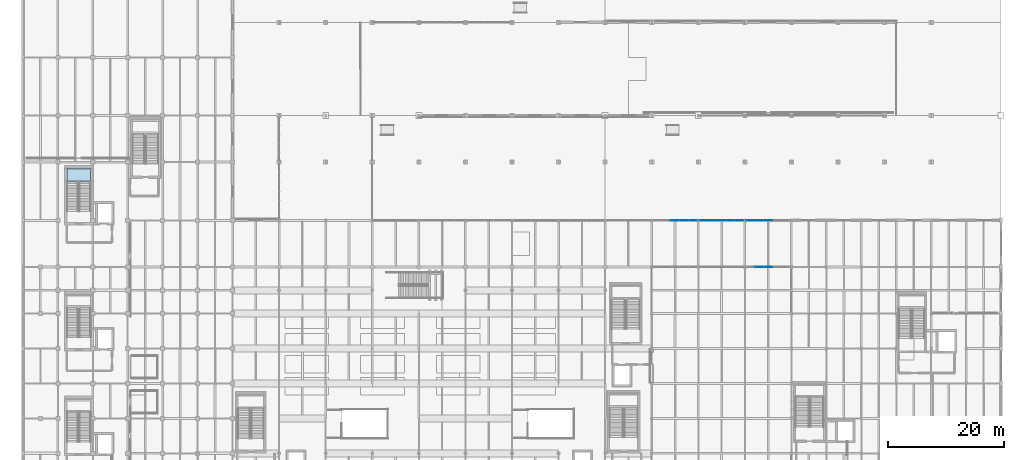
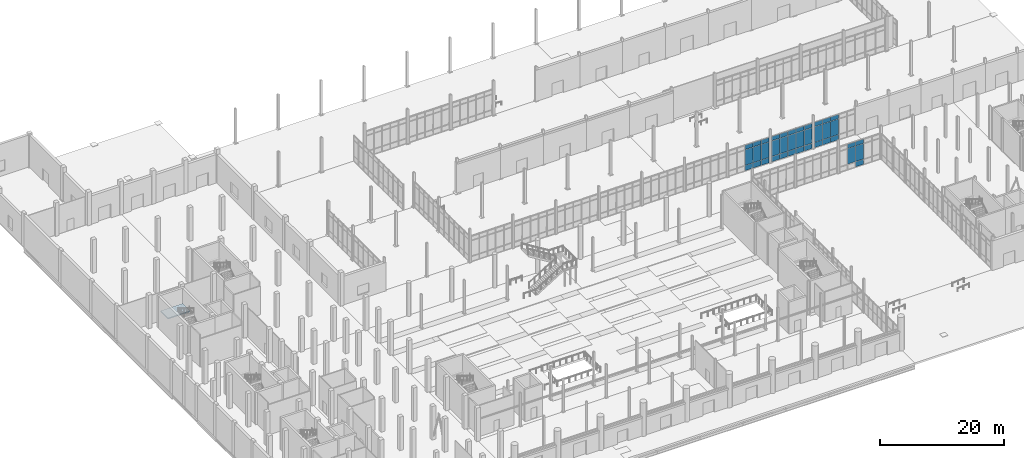
# One storey, part 102 of 140: 38 plates, 1 slab, 5 elements without a shape of their own.
"""IFC4 building model written with IfcOpenShell, lengths in metres."""

from ifc_helpers import new_model, si_unit, direction, frame, origin, origin_2d, place, context, subcontext, project, spatial, polyline, rectangle, outline, extrude, material, layer, layer_set, type_object, element, aggregate, save


model = new_model("IFC4")

# Units and contexts
model_context = context("Model", 3, precision=1e-05, world=origin(), true_north=direction((0.0, 1.0)))
body_context = subcontext(model_context, "Body", "Model", "MODEL_VIEW")
ifc_project = project(units=[si_unit("LENGTHUNIT", "METRE"), si_unit("AREAUNIT", "SQUARE_METRE"), si_unit("VOLUMEUNIT", "CUBIC_METRE"), si_unit("PLANEANGLEUNIT", "RADIAN"), si_unit("MASSUNIT", "GRAM", prefix="KILO")], contexts=[model_context])

# Site, building, storey
site_placement = place(None, origin())
site = spatial("IfcSite", under=ifc_project, at=site_placement, CompositionType="ELEMENT")
building_placement = place(site_placement, origin())
building = spatial("IfcBuilding", under=site, at=building_placement, Name="Verrall Gate Interchange", CompositionType="ELEMENT")
storey_placement = place(building_placement, origin())
storey = spatial("IfcBuildingStorey", under=building, at=storey_placement, Name="L01", CompositionType="ELEMENT", Elevation=0.0)

# Curtain wall, plates
ifc_material_1 = material(Name="Thermally Broken Anodized Aluminium Curtain Wall Framing", Category="aluminium")
curtain_wall_type = type_object("IfcCurtainWallType", Name="CW-06 Unitized Curtain Wall 7631x5100", PredefinedType="NOTDEFINED", material=ifc_material_1)
curtain_wall_1_placement = place(storey_placement, origin())
curtain_wall_1 = element("IfcCurtainWall", 1, at=curtain_wall_1_placement, inside=storey, type_object=curtain_wall_type, Name="L01 Unitized Curtain Wall CW-L01-012", PredefinedType="NOTDEFINED")
ifc_material_2 = material(Name="Triple-Glazed Low-E Argon Insulated Curtain Panel (U=1.45)", Category="glass")
ifc_layer_1 = layer(ifc_material_2, 0.030029296875)
ifc_layer_set_1 = layer_set([ifc_layer_1], Name="Triple-Glazed Low-E Argon Insulated Curtain Panel (U=1.45)")
plate_type_1 = type_object("IfcPlateType", Name="CP-01 Curtain Glazing Panel 30", PredefinedType="CURTAIN_PANEL", material=ifc_layer_set_1)
plate_1_placement = place(storey_placement, frame((127.98388671875, 56.0, 0.0546875), z_axis=(0.0, 0.0, 1.0), x_axis=(-1.0, 0.0, 0.0)))
plate_1 = element("IfcPlate", 2, at=plate_1_placement, type_object=plate_type_1, Name="CW-L01-012 Glazing Panel 3.1", PredefinedType="CURTAIN_PANEL", context=body_context, shape_type="SweptSolid", body=[
    extrude(rectangle(XDim=1.4755859375, YDim=0.030029296875, at=origin_2d()), origin(), (0.0, 0.0, 1.0), 1.023193359375),
])
plate_2_placement = place(storey_placement, frame((127.98388671875, 56.0, 1.1220703125), z_axis=(0.0, 0.0, 1.0), x_axis=(-1.0, 0.0, 0.0)))
plate_2 = element("IfcPlate", 3, at=plate_2_placement, type_object=plate_type_1, Name="CW-L01-012 Glazing Panel 3.2", PredefinedType="CURTAIN_PANEL", context=body_context, shape_type="SweptSolid", body=[
    extrude(rectangle(XDim=1.4755859375, YDim=0.030029296875, at=origin_2d()), origin(), (0.0, 0.0, 1.0), 3.055908203125),
])
plate_3_placement = place(storey_placement, frame((127.98388671875, 56.0, 4.22216796875), z_axis=(0.0, 0.0, 1.0), x_axis=(-1.0, 0.0, 0.0)))
plate_3 = element("IfcPlate", 4, at=plate_3_placement, type_object=plate_type_1, Name="CW-L01-012 Glazing Panel 3.3", PredefinedType="CURTAIN_PANEL", context=body_context, shape_type="SweptSolid", body=[
    extrude(rectangle(XDim=1.4755859375, YDim=0.030029296875, at=origin_2d()), origin(), (0.0, 0.0, 1.0), 0.8232421875),
])
plate_4_placement = place(storey_placement, frame((126.464111328125, 56.0, 0.0546875), z_axis=(0.0, 0.0, 1.0), x_axis=(-1.0, 0.0, 0.0)))
plate_4 = element("IfcPlate", 5, at=plate_4_placement, type_object=plate_type_1, Name="CW-L01-012 Glazing Panel 4.1", PredefinedType="CURTAIN_PANEL", context=body_context, shape_type="SweptSolid", body=[
    extrude(rectangle(XDim=1.4755859375, YDim=0.030029296875, at=origin_2d()), origin(), (0.0, 0.0, 1.0), 1.023193359375),
])
plate_5_placement = place(storey_placement, frame((126.464111328125, 56.0, 1.1220703125), z_axis=(0.0, 0.0, 1.0), x_axis=(-1.0, 0.0, 0.0)))
plate_5 = element("IfcPlate", 6, at=plate_5_placement, type_object=plate_type_1, Name="CW-L01-012 Glazing Panel 4.2", PredefinedType="CURTAIN_PANEL", context=body_context, shape_type="SweptSolid", body=[
    extrude(rectangle(XDim=1.4755859375, YDim=0.030029296875, at=origin_2d()), origin(), (0.0, 0.0, 1.0), 3.055908203125),
])
plate_6_placement = place(storey_placement, frame((126.464111328125, 56.0, 4.22216796875), z_axis=(0.0, 0.0, 1.0), x_axis=(-1.0, 0.0, 0.0)))
plate_6 = element("IfcPlate", 7, at=plate_6_placement, type_object=plate_type_1, Name="CW-L01-012 Glazing Panel 4.3", PredefinedType="CURTAIN_PANEL", context=body_context, shape_type="SweptSolid", body=[
    extrude(rectangle(XDim=1.4755859375, YDim=0.030029296875, at=origin_2d()), origin(), (0.0, 0.0, 1.0), 0.8232421875),
])
plate_7_placement = place(storey_placement, frame((124.960693359375, 56.0, 0.0546875), z_axis=(0.0, 0.0, 1.0), x_axis=(-1.0, 0.0, 0.0)))
plate_7 = element("IfcPlate", 8, at=plate_7_placement, type_object=plate_type_1, Name="CW-L01-012 Glazing Panel 5.1", PredefinedType="CURTAIN_PANEL", context=body_context, shape_type="SweptSolid", body=[
    extrude(rectangle(XDim=1.443115234375, YDim=0.030029296875, at=origin_2d()), origin(), (0.0, 0.0, 1.0), 1.023193359375),
])
plate_8_placement = place(storey_placement, frame((124.960693359375, 56.0, 1.1220703125), z_axis=(0.0, 0.0, 1.0), x_axis=(-1.0, 0.0, 0.0)))
plate_8 = element("IfcPlate", 9, at=plate_8_placement, type_object=plate_type_1, Name="CW-L01-012 Glazing Panel 5.2", PredefinedType="CURTAIN_PANEL", context=body_context, shape_type="SweptSolid", body=[
    extrude(rectangle(XDim=1.443115234375, YDim=0.030029296875, at=origin_2d()), origin(), (0.0, 0.0, 1.0), 3.055908203125),
])
plate_9_placement = place(storey_placement, frame((124.960693359375, 56.0, 4.22216796875), z_axis=(0.0, 0.0, 1.0), x_axis=(-1.0, 0.0, 0.0)))
plate_9 = element("IfcPlate", 10, at=plate_9_placement, type_object=plate_type_1, Name="CW-L01-012 Glazing Panel 5.3", PredefinedType="CURTAIN_PANEL", context=body_context, shape_type="SweptSolid", body=[
    extrude(rectangle(XDim=1.443115234375, YDim=0.030029296875, at=origin_2d()), origin(), (0.0, 0.0, 1.0), 0.8232421875),
])
aggregate(curtain_wall_1, [plate_1, plate_2, plate_3, plate_4, plate_5, plate_6, plate_7, plate_8, plate_9])

curtain_wall_2_placement = place(storey_placement, origin())
curtain_wall_2 = element("IfcCurtainWall", 11, at=curtain_wall_2_placement, inside=storey, type_object=curtain_wall_type, Name="L01 Unitized Curtain Wall CW-L01-013", PredefinedType="NOTDEFINED")
plate_10_placement = place(storey_placement, frame((123.03369140625, 56.0, 0.06298828125), z_axis=(0.0, 0.0, 1.0), x_axis=(-1.0, 0.0, 0.0)))
plate_10 = element("IfcPlate", 12, at=plate_10_placement, type_object=plate_type_1, Name="CW-L01-013 Glazing Panel 1.1", PredefinedType="CURTAIN_PANEL", context=body_context, shape_type="SweptSolid", body=[
    extrude(rectangle(XDim=1.437744140625, YDim=0.030029296875, at=origin_2d()), origin(), (0.0, 0.0, 1.0), 1.011474609375),
])
plate_11_placement = place(storey_placement, frame((123.03369140625, 56.0, 1.12548828125), z_axis=(0.0, 0.0, 1.0), x_axis=(-1.0, 0.0, 0.0)))
plate_11 = element("IfcPlate", 13, at=plate_11_placement, type_object=plate_type_1, Name="CW-L01-013 Glazing Panel 1.2", PredefinedType="CURTAIN_PANEL", context=body_context, shape_type="SweptSolid", body=[
    extrude(rectangle(XDim=1.437744140625, YDim=0.030029296875, at=origin_2d()), origin(), (0.0, 0.0, 1.0), 3.049072265625),
])
plate_12_placement = place(storey_placement, frame((123.03369140625, 56.0, 4.225341796875), z_axis=(0.0, 0.0, 1.0), x_axis=(-1.0, 0.0, 0.0)))
plate_12 = element("IfcPlate", 14, at=plate_12_placement, type_object=plate_type_1, Name="CW-L01-013 Glazing Panel 1.3", PredefinedType="CURTAIN_PANEL", context=body_context, shape_type="SweptSolid", body=[
    extrude(rectangle(XDim=1.437744140625, YDim=0.030029296875, at=origin_2d()), origin(), (0.0, 0.0, 1.0), 0.8115234375),
])
plate_13_placement = place(storey_placement, frame((121.526123046875, 56.0, 0.06298828125), z_axis=(0.0, 0.0, 1.0), x_axis=(-1.0, 0.0, 0.0)))
plate_13 = element("IfcPlate", 15, at=plate_13_placement, type_object=plate_type_1, Name="CW-L01-013 Glazing Panel 2.1", PredefinedType="CURTAIN_PANEL", context=body_context, shape_type="SweptSolid", body=[
    extrude(rectangle(XDim=1.47509765625, YDim=0.030029296875, at=origin_2d()), origin(), (0.0, 0.0, 1.0), 1.011474609375),
])
plate_14_placement = place(storey_placement, frame((121.526123046875, 56.0, 1.12548828125), z_axis=(0.0, 0.0, 1.0), x_axis=(-1.0, 0.0, 0.0)))
plate_14 = element("IfcPlate", 16, at=plate_14_placement, type_object=plate_type_1, Name="CW-L01-013 Glazing Panel 2.2", PredefinedType="CURTAIN_PANEL", context=body_context, shape_type="SweptSolid", body=[
    extrude(rectangle(XDim=1.47509765625, YDim=0.030029296875, at=origin_2d()), origin(), (0.0, 0.0, 1.0), 3.049072265625),
])
plate_15_placement = place(storey_placement, frame((121.526123046875, 56.0, 4.225341796875), z_axis=(0.0, 0.0, 1.0), x_axis=(-1.0, 0.0, 0.0)))
plate_15 = element("IfcPlate", 17, at=plate_15_placement, type_object=plate_type_1, Name="CW-L01-013 Glazing Panel 2.3", PredefinedType="CURTAIN_PANEL", context=body_context, shape_type="SweptSolid", body=[
    extrude(rectangle(XDim=1.47509765625, YDim=0.030029296875, at=origin_2d()), origin(), (0.0, 0.0, 1.0), 0.8115234375),
])
plate_16_placement = place(storey_placement, frame((120.0, 56.0, 0.06298828125), z_axis=(0.0, 0.0, 1.0), x_axis=(-1.0, 0.0, 0.0)))
plate_16 = element("IfcPlate", 18, at=plate_16_placement, type_object=plate_type_1, Name="CW-L01-013 Glazing Panel 3.1", PredefinedType="CURTAIN_PANEL", context=body_context, shape_type="SweptSolid", body=[
    extrude(rectangle(XDim=1.47509765625, YDim=0.030029296875, at=origin_2d()), origin(), (0.0, 0.0, 1.0), 1.011474609375),
])
plate_17_placement = place(storey_placement, frame((120.0, 56.0, 1.12548828125), z_axis=(0.0, 0.0, 1.0), x_axis=(-1.0, 0.0, 0.0)))
plate_17 = element("IfcPlate", 19, at=plate_17_placement, type_object=plate_type_1, Name="CW-L01-013 Glazing Panel 3.2", PredefinedType="CURTAIN_PANEL", context=body_context, shape_type="SweptSolid", body=[
    extrude(rectangle(XDim=1.47509765625, YDim=0.030029296875, at=origin_2d()), origin(), (0.0, 0.0, 1.0), 3.049072265625),
])
plate_18_placement = place(storey_placement, frame((120.0, 56.0, 4.225341796875), z_axis=(0.0, 0.0, 1.0), x_axis=(-1.0, 0.0, 0.0)))
plate_18 = element("IfcPlate", 20, at=plate_18_placement, type_object=plate_type_1, Name="CW-L01-013 Glazing Panel 3.3", PredefinedType="CURTAIN_PANEL", context=body_context, shape_type="SweptSolid", body=[
    extrude(rectangle(XDim=1.47509765625, YDim=0.030029296875, at=origin_2d()), origin(), (0.0, 0.0, 1.0), 0.8115234375),
])
plate_19_placement = place(storey_placement, frame((118.473876953125, 56.0, 0.06298828125), z_axis=(0.0, 0.0, 1.0), x_axis=(-1.0, 0.0, 0.0)))
plate_19 = element("IfcPlate", 21, at=plate_19_placement, type_object=plate_type_1, Name="CW-L01-013 Glazing Panel 4.1", PredefinedType="CURTAIN_PANEL", context=body_context, shape_type="SweptSolid", body=[
    extrude(rectangle(XDim=1.47509765625, YDim=0.030029296875, at=origin_2d()), origin(), (0.0, 0.0, 1.0), 1.011474609375),
])
plate_20_placement = place(storey_placement, frame((118.473876953125, 56.0, 1.12548828125), z_axis=(0.0, 0.0, 1.0), x_axis=(-1.0, 0.0, 0.0)))
plate_20 = element("IfcPlate", 22, at=plate_20_placement, type_object=plate_type_1, Name="CW-L01-013 Glazing Panel 4.2", PredefinedType="CURTAIN_PANEL", context=body_context, shape_type="SweptSolid", body=[
    extrude(rectangle(XDim=1.47509765625, YDim=0.030029296875, at=origin_2d()), origin(), (0.0, 0.0, 1.0), 3.049072265625),
])
plate_21_placement = place(storey_placement, frame((118.473876953125, 56.0, 4.225341796875), z_axis=(0.0, 0.0, 1.0), x_axis=(-1.0, 0.0, 0.0)))
plate_21 = element("IfcPlate", 23, at=plate_21_placement, type_object=plate_type_1, Name="CW-L01-013 Glazing Panel 4.3", PredefinedType="CURTAIN_PANEL", context=body_context, shape_type="SweptSolid", body=[
    extrude(rectangle(XDim=1.47509765625, YDim=0.030029296875, at=origin_2d()), origin(), (0.0, 0.0, 1.0), 0.8115234375),
])
plate_22_placement = place(storey_placement, frame((116.96630859375, 56.0, 0.06298828125), z_axis=(0.0, 0.0, 1.0), x_axis=(-1.0, 0.0, 0.0)))
plate_22 = element("IfcPlate", 24, at=plate_22_placement, type_object=plate_type_1, Name="CW-L01-013 Glazing Panel 5.1", PredefinedType="CURTAIN_PANEL", context=body_context, shape_type="SweptSolid", body=[
    extrude(rectangle(XDim=1.437744140625, YDim=0.030029296875, at=origin_2d()), origin(), (0.0, 0.0, 1.0), 1.011474609375),
])
plate_23_placement = place(storey_placement, frame((116.96630859375, 56.0, 1.12548828125), z_axis=(0.0, 0.0, 1.0), x_axis=(-1.0, 0.0, 0.0)))
plate_23 = element("IfcPlate", 25, at=plate_23_placement, type_object=plate_type_1, Name="CW-L01-013 Glazing Panel 5.2", PredefinedType="CURTAIN_PANEL", context=body_context, shape_type="SweptSolid", body=[
    extrude(rectangle(XDim=1.437744140625, YDim=0.030029296875, at=origin_2d()), origin(), (0.0, 0.0, 1.0), 3.049072265625),
])
plate_24_placement = place(storey_placement, frame((116.96630859375, 56.0, 4.225341796875), z_axis=(0.0, 0.0, 1.0), x_axis=(-1.0, 0.0, 0.0)))
plate_24 = element("IfcPlate", 26, at=plate_24_placement, type_object=plate_type_1, Name="CW-L01-013 Glazing Panel 5.3", PredefinedType="CURTAIN_PANEL", context=body_context, shape_type="SweptSolid", body=[
    extrude(rectangle(XDim=1.437744140625, YDim=0.030029296875, at=origin_2d()), origin(), (0.0, 0.0, 1.0), 0.8115234375),
])
aggregate(curtain_wall_2, [plate_10, plate_11, plate_12, plate_13, plate_14, plate_15, plate_16, plate_17, plate_18, plate_19, plate_20, plate_21, plate_22, plate_23, plate_24])

curtain_wall_3_placement = place(storey_placement, origin())
curtain_wall_3 = element("IfcCurtainWall", 27, at=curtain_wall_3_placement, inside=storey, type_object=curtain_wall_type, Name="L01 Unitized Curtain Wall CW-L01-011", PredefinedType="NOTDEFINED")
ifc_material_3 = material(Name="Triple-Glazed Low-E Argon Insulated Curtain Panel (U=1.45)", Category="glass")
ifc_layer_2 = layer(ifc_material_3, 0.0400390625)
ifc_layer_set_2 = layer_set([ifc_layer_2], Name="Triple-Glazed Low-E Argon Insulated Curtain Panel (U=1.45)")
plate_type_2 = type_object("IfcPlateType", Name="CP-02 Curtain Glazing Panel 40", PredefinedType="CURTAIN_PANEL", material=ifc_layer_set_2)
plate_25_placement = place(storey_placement, frame((126.464111328125, 48.0, 1.12548828125), z_axis=(0.0, 0.0, 1.0), x_axis=(1.0, 0.0, 0.0)))
plate_25 = element("IfcPlate", 28, at=plate_25_placement, type_object=plate_type_2, Name="CW-L01-011 Glazing Panel 2.2", PredefinedType="CURTAIN_PANEL", context=body_context, shape_type="SweptSolid", body=[
    extrude(rectangle(XDim=1.46875, YDim=0.0400390625, at=origin_2d()), origin(), (0.0, 0.0, 1.0), 3.049072265625),
])
plate_26_placement = place(storey_placement, frame((126.464111328125, 48.0, 4.225341796875), z_axis=(0.0, 0.0, 1.0), x_axis=(1.0, 0.0, 0.0)))
plate_26 = element("IfcPlate", 29, at=plate_26_placement, type_object=plate_type_2, Name="CW-L01-011 Glazing Panel 2.3", PredefinedType="CURTAIN_PANEL", context=body_context, shape_type="SweptSolid", body=[
    extrude(rectangle(XDim=1.46875, YDim=0.0400390625, at=origin_2d()), origin(), (0.0, 0.0, 1.0), 0.8115234375),
])
plate_27_placement = place(storey_placement, frame((127.98388671875, 48.0, 0.06298828125), z_axis=(0.0, 0.0, 1.0), x_axis=(1.0, 0.0, 0.0)))
plate_27 = element("IfcPlate", 30, at=plate_27_placement, type_object=plate_type_2, Name="CW-L01-011 Glazing Panel 3.1", PredefinedType="CURTAIN_PANEL", context=body_context, shape_type="SweptSolid", body=[
    extrude(rectangle(XDim=1.46875, YDim=0.0400390625, at=origin_2d()), origin(), (0.0, 0.0, 1.0), 1.011474609375),
])
plate_28_placement = place(storey_placement, frame((127.98388671875, 48.0, 1.12548828125), z_axis=(0.0, 0.0, 1.0), x_axis=(1.0, 0.0, 0.0)))
plate_28 = element("IfcPlate", 31, at=plate_28_placement, type_object=plate_type_2, Name="CW-L01-011 Glazing Panel 3.2", PredefinedType="CURTAIN_PANEL", context=body_context, shape_type="SweptSolid", body=[
    extrude(rectangle(XDim=1.46875, YDim=0.0400390625, at=origin_2d()), origin(), (0.0, 0.0, 1.0), 3.049072265625),
])
plate_29_placement = place(storey_placement, frame((127.98388671875, 48.0, 4.225341796875), z_axis=(0.0, 0.0, 1.0), x_axis=(1.0, 0.0, 0.0)))
plate_29 = element("IfcPlate", 32, at=plate_29_placement, type_object=plate_type_2, Name="CW-L01-011 Glazing Panel 3.3", PredefinedType="CURTAIN_PANEL", context=body_context, shape_type="SweptSolid", body=[
    extrude(rectangle(XDim=1.46875, YDim=0.0400390625, at=origin_2d()), origin(), (0.0, 0.0, 1.0), 0.8115234375),
])
aggregate(curtain_wall_3, [plate_25, plate_26, plate_27, plate_28, plate_29])

curtain_wall_4_placement = place(storey_placement, origin())
curtain_wall_4 = element("IfcCurtainWall", 33, at=curtain_wall_4_placement, inside=storey, type_object=curtain_wall_type, Name="L01 Unitized Curtain Wall CW-L01-014", PredefinedType="NOTDEFINED")
plate_30_placement = place(storey_placement, frame((115.0361328125, 56.0, 0.0546875), z_axis=(0.0, 0.0, 1.0), x_axis=(-1.0, 0.0, 0.0)))
plate_30 = element("IfcPlate", 34, at=plate_30_placement, type_object=plate_type_2, Name="CW-L01-014 Glazing Panel 1.1", PredefinedType="CURTAIN_PANEL", context=body_context, shape_type="SweptSolid", body=[
    extrude(rectangle(XDim=1.449462890625, YDim=0.0400390625, at=origin_2d()), origin(), (0.0, 0.0, 1.0), 1.023193359375),
])
plate_31_placement = place(storey_placement, frame((115.0361328125, 56.0, 1.1220703125), z_axis=(0.0, 0.0, 1.0), x_axis=(-1.0, 0.0, 0.0)))
plate_31 = element("IfcPlate", 35, at=plate_31_placement, type_object=plate_type_2, Name="CW-L01-014 Glazing Panel 1.2", PredefinedType="CURTAIN_PANEL", context=body_context, shape_type="SweptSolid", body=[
    extrude(rectangle(XDim=1.449462890625, YDim=0.0400390625, at=origin_2d()), origin(), (0.0, 0.0, 1.0), 3.055908203125),
])
plate_32_placement = place(storey_placement, frame((115.0361328125, 56.0, 4.22216796875), z_axis=(0.0, 0.0, 1.0), x_axis=(-1.0, 0.0, 0.0)))
plate_32 = element("IfcPlate", 36, at=plate_32_placement, type_object=plate_type_2, Name="CW-L01-014 Glazing Panel 1.3", PredefinedType="CURTAIN_PANEL", context=body_context, shape_type="SweptSolid", body=[
    extrude(rectangle(XDim=1.449462890625, YDim=0.0400390625, at=origin_2d()), origin(), (0.0, 0.0, 1.0), 0.8232421875),
])
plate_33_placement = place(storey_placement, frame((113.526123046875, 56.0, 0.0546875), z_axis=(0.0, 0.0, 1.0), x_axis=(-1.0, 0.0, 0.0)))
plate_33 = element("IfcPlate", 37, at=plate_33_placement, type_object=plate_type_2, Name="CW-L01-014 Glazing Panel 2.1", PredefinedType="CURTAIN_PANEL", context=body_context, shape_type="SweptSolid", body=[
    extrude(rectangle(XDim=1.48193359375, YDim=0.0400390625, at=origin_2d()), origin(), (0.0, 0.0, 1.0), 1.023193359375),
])
plate_34_placement = place(storey_placement, frame((113.526123046875, 56.0, 1.1220703125), z_axis=(0.0, 0.0, 1.0), x_axis=(-1.0, 0.0, 0.0)))
plate_34 = element("IfcPlate", 38, at=plate_34_placement, type_object=plate_type_2, Name="CW-L01-014 Glazing Panel 2.2", PredefinedType="CURTAIN_PANEL", context=body_context, shape_type="SweptSolid", body=[
    extrude(rectangle(XDim=1.48193359375, YDim=0.0400390625, at=origin_2d()), origin(), (0.0, 0.0, 1.0), 3.055908203125),
])
plate_35_placement = place(storey_placement, frame((113.526123046875, 56.0, 4.22216796875), z_axis=(0.0, 0.0, 1.0), x_axis=(-1.0, 0.0, 0.0)))
plate_35 = element("IfcPlate", 39, at=plate_35_placement, type_object=plate_type_2, Name="CW-L01-014 Glazing Panel 2.3", PredefinedType="CURTAIN_PANEL", context=body_context, shape_type="SweptSolid", body=[
    extrude(rectangle(XDim=1.48193359375, YDim=0.0400390625, at=origin_2d()), origin(), (0.0, 0.0, 1.0), 0.8232421875),
])
plate_36_placement = place(storey_placement, frame((112.0, 56.0, 0.0546875), z_axis=(0.0, 0.0, 1.0), x_axis=(-1.0, 0.0, 0.0)))
plate_36 = element("IfcPlate", 40, at=plate_36_placement, type_object=plate_type_2, Name="CW-L01-014 Glazing Panel 3.1", PredefinedType="CURTAIN_PANEL", context=body_context, shape_type="SweptSolid", body=[
    extrude(rectangle(XDim=1.48193359375, YDim=0.0400390625, at=origin_2d()), origin(), (0.0, 0.0, 1.0), 1.023193359375),
])
plate_37_placement = place(storey_placement, frame((112.0, 56.0, 1.1220703125), z_axis=(0.0, 0.0, 1.0), x_axis=(-1.0, 0.0, 0.0)))
plate_37 = element("IfcPlate", 41, at=plate_37_placement, type_object=plate_type_2, Name="CW-L01-014 Glazing Panel 3.2", PredefinedType="CURTAIN_PANEL", context=body_context, shape_type="SweptSolid", body=[
    extrude(rectangle(XDim=1.48193359375, YDim=0.0400390625, at=origin_2d()), origin(), (0.0, 0.0, 1.0), 3.055908203125),
])
plate_38_placement = place(storey_placement, frame((112.0, 56.0, 4.22216796875), z_axis=(0.0, 0.0, 1.0), x_axis=(-1.0, 0.0, 0.0)))
plate_38 = element("IfcPlate", 42, at=plate_38_placement, type_object=plate_type_2, Name="CW-L01-014 Glazing Panel 3.3", PredefinedType="CURTAIN_PANEL", context=body_context, shape_type="SweptSolid", body=[
    extrude(rectangle(XDim=1.48193359375, YDim=0.0400390625, at=origin_2d()), origin(), (0.0, 0.0, 1.0), 0.8232421875),
])
aggregate(curtain_wall_4, [plate_30, plate_31, plate_32, plate_33, plate_34, plate_35, plate_36, plate_37, plate_38])

# Stair, slab
ifc_material_4 = material(Name="Concrete CSA A23.1 40 MPa (Class N)", Category="concrete")
stair_type = type_object("IfcStairType", Name="ST-T03 Straight-Flight Return Exit Stair W1950 H6600", PredefinedType="STRAIGHT_RUN_STAIR", material=ifc_material_4)
stair_placement = place(storey_placement, origin())
stair = element("IfcStair", 43, at=stair_placement, inside=storey, type_object=stair_type, Name="L01 ST-03", PredefinedType="STRAIGHT_RUN_STAIR")
ifc_material_5 = material(Name="Concrete CSA A23.1 40 MPa (Class N)", Category="concrete")
ifc_layer_3 = layer(ifc_material_5, 0.18994140625)
ifc_layer_set_3 = layer_set([ifc_layer_3], Name="Concrete CSA A23.1 40 MPa (Class N)")
slab_type = type_object("IfcSlabType", Name="LS-01 Stair Landing Slab 190", PredefinedType="LANDING", material=ifc_layer_set_3)
slab_placement = place(storey_placement, frame((0.0, 0.0, 3.10009765625)))
slab = element("IfcSlab", 44, at=slab_placement, type_object=slab_type, Name="ST-03 landing 1", PredefinedType="LANDING", context=body_context, shape_type="SweptSolid", body=[
    extrude(outline(polyline([(11.64990234375, 62.590087890625), (11.64990234375, 65.0), (7.550048828125, 65.0), (7.550048828125, 62.590087890625), (11.64990234375, 62.590087890625)])), origin(), (0.0, 0.0, 1.0), 0.199951171875),
])
aggregate(stair, [slab])

save(model, "model.ifc")
